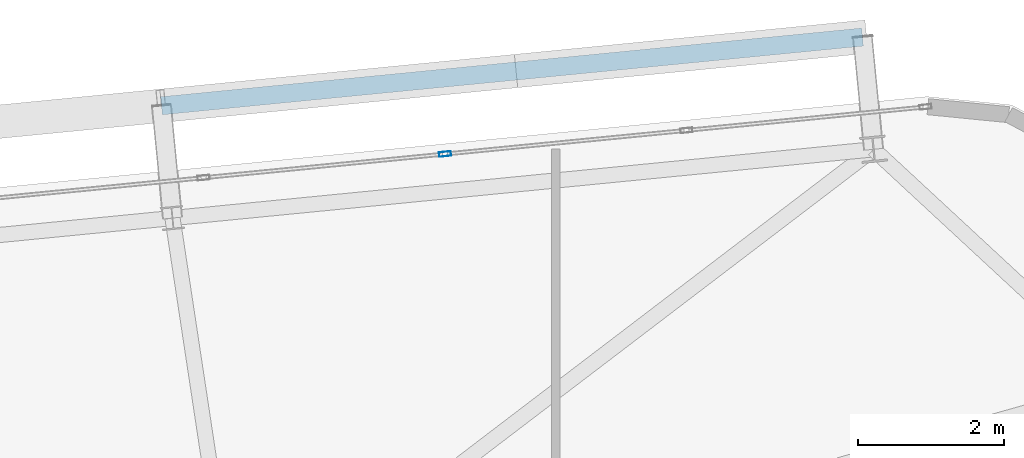
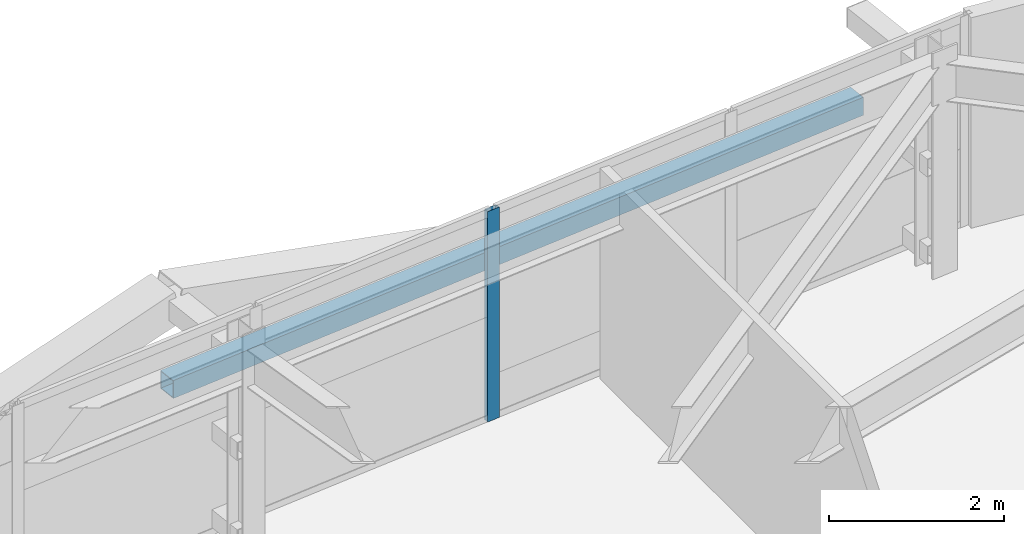
# One storey, part 33 of 52: 2 members, 1 element without a shape of its own.
"""IFC4 building model written with IfcOpenShell, lengths in metres."""

from ifc_helpers import new_model, si_unit, direction, frame, origin, origin_2d, place, context, subcontext, project, spatial, hollow_rectangle, extrude, source, transform, mapped, material, layer, layer_set, material_profile, profile_set, type_object, element, aggregate, save


model = new_model("IFC4")

# Units and contexts
model_context = context("Model", 3, precision=1e-05, world=origin(), true_north=direction((0.0, 1.0)))
body_context = subcontext(model_context, "Body", "Model", "MODEL_VIEW")
ifc_project = project(units=[si_unit("LENGTHUNIT", "METRE"), si_unit("AREAUNIT", "SQUARE_METRE"), si_unit("VOLUMEUNIT", "CUBIC_METRE"), si_unit("PLANEANGLEUNIT", "RADIAN"), si_unit("MASSUNIT", "GRAM", prefix="KILO")], contexts=[model_context])

# Site, building, storey
site_placement = place(None, origin())
site = spatial("IfcSite", under=ifc_project, at=site_placement, CompositionType="ELEMENT")
building_placement = place(site_placement, origin())
building = spatial("IfcBuilding", under=site, at=building_placement, Name="Taldren Reach Tower", CompositionType="ELEMENT")
storey_placement = place(building_placement, frame((0.0, 0.0, 96.60009765625)))
storey = spatial("IfcBuildingStorey", under=building, at=storey_placement, Name="L29", CompositionType="ELEMENT", Elevation=96.60009765625)

# Member
ifc_material_1 = material(Name="Steel Gr 350 (C350L0)", Category="steel")
ifc_material_profile_1 = material_profile(ifc_material_1, hollow_rectangle(XDim=0.25, YDim=0.25, WallThickness=0.010009765625, at=origin_2d()), Name="250x250x10.0SHS")
ifc_profile_set_1 = profile_set([ifc_material_profile_1], Name="Steel Gr 350 (C350L0)")
member_type_1 = type_object("IfcMemberType", Name="MB-POST250", PredefinedType="POST", material=ifc_profile_set_1)
shared_shape_1 = source(origin(), body_context, "Body", "SweptSolid", [
    extrude(hollow_rectangle(XDim=0.25, YDim=0.25, WallThickness=0.010009765625, at=origin_2d()), origin(), (0.0, 0.0, 1.0), 9.679931640625),
])
member_1_placement = place(storey_placement, frame((49.980712890625, 39.27783203125, 1.434814453125), z_axis=(0.995227612658, 0.097580730699, 0.0), x_axis=(-0.097580730699, 0.995227612658, 0.0)))
element("IfcMember", 1, at=member_1_placement, inside=storey, type_object=member_type_1, Name="Exoskeleton mid-height ring chord B2-N5 L29", PredefinedType="POST", context=body_context, shape_type="MappedRepresentation", body=[
    mapped(shared_shape_1, transform((0.0, 0.0, 0.0), scale=1.0)),
])

# Curtain wall, member
ifc_material_2 = material(Name="Aluminium and Low-E Glass Unitised System", Category="aluminium")
ifc_layer = layer(ifc_material_2, 0.159912109375)
ifc_layer_set = layer_set([ifc_layer], Name="Aluminium and Low-E Glass Unitised System")
curtain_wall_type = type_object("IfcCurtainWallType", Name="CW-SYS-3", PredefinedType="NOTDEFINED", material=ifc_layer_set)
curtain_wall_placement = place(storey_placement, origin())
curtain_wall = element("IfcCurtainWall", 2, at=curtain_wall_placement, inside=storey, type_object=curtain_wall_type, Name="Unitised curtain wall CW-L29-N", PredefinedType="NOTDEFINED")
ifc_material_3 = material(Name="Anodised Aluminium 6063-T6", Category="aluminium")
ifc_material_profile_2 = material_profile(ifc_material_3, hollow_rectangle(XDim=0.06494140625, YDim=0.1650390625, WallThickness=0.00390625, at=origin_2d()), Name="ALU-165x65x4RHS")
ifc_profile_set_2 = profile_set([ifc_material_profile_2], Name="Anodised Aluminium 6063-T6")
member_type_2 = type_object("IfcMemberType", Name="CW-MUL-165", PredefinedType="MULLION", material=ifc_profile_set_2)
shared_shape_2 = source(origin(), body_context, "Body", "SweptSolid", [
    extrude(hollow_rectangle(XDim=0.06494140625, YDim=0.1650390625, WallThickness=0.00390625, at=origin_2d()), origin(), (0.0, 0.0, 1.0), 2.929931640625),
])
member_2_placement = place(storey_placement, frame((53.87744140625, 38.614990234375, 0.0), z_axis=(0.0, 0.0, 1.0), x_axis=(0.097582999046, -0.995227390247, 0.0)))
member_2 = element("IfcMember", 3, at=member_2_placement, type_object=member_type_2, Name="CW-3 mullion 3", PredefinedType="MULLION", context=body_context, shape_type="MappedRepresentation", body=[
    mapped(shared_shape_2, transform((0.0, 0.0, 0.0), scale=1.0)),
])
aggregate(curtain_wall, [member_2])

save(model, "model.ifc")
